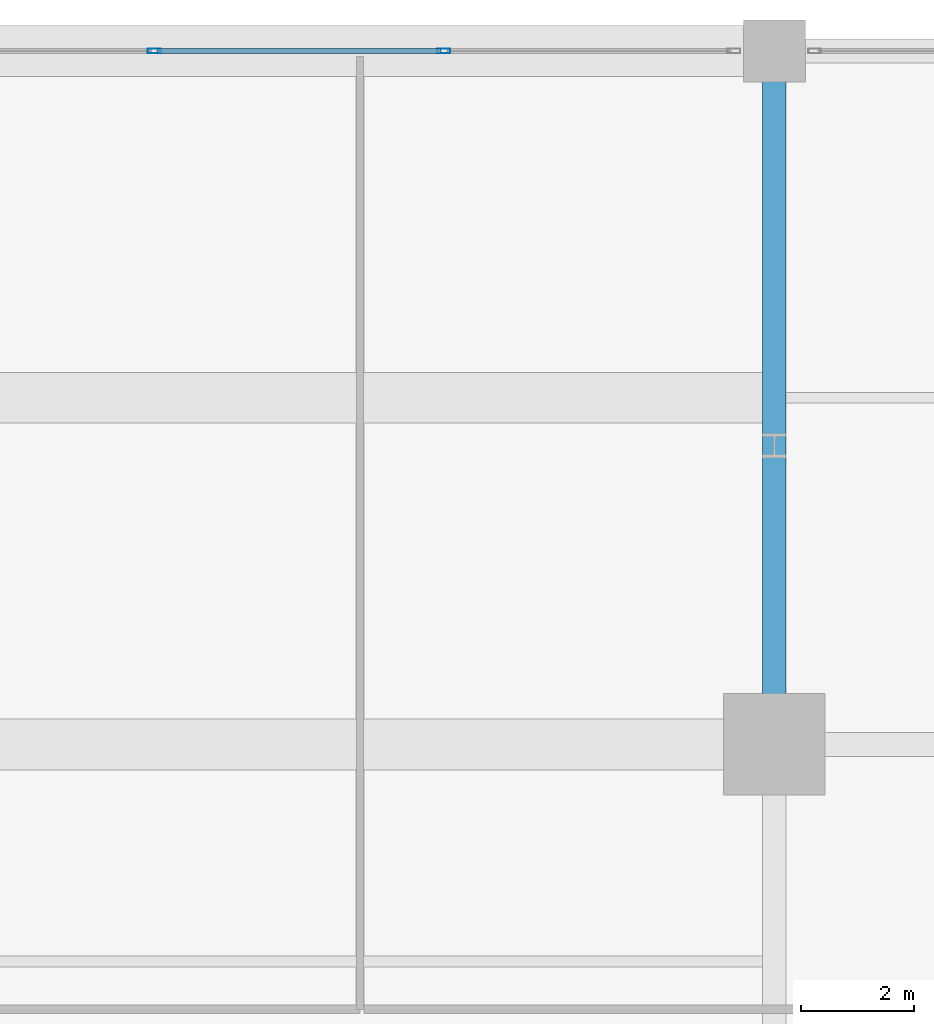
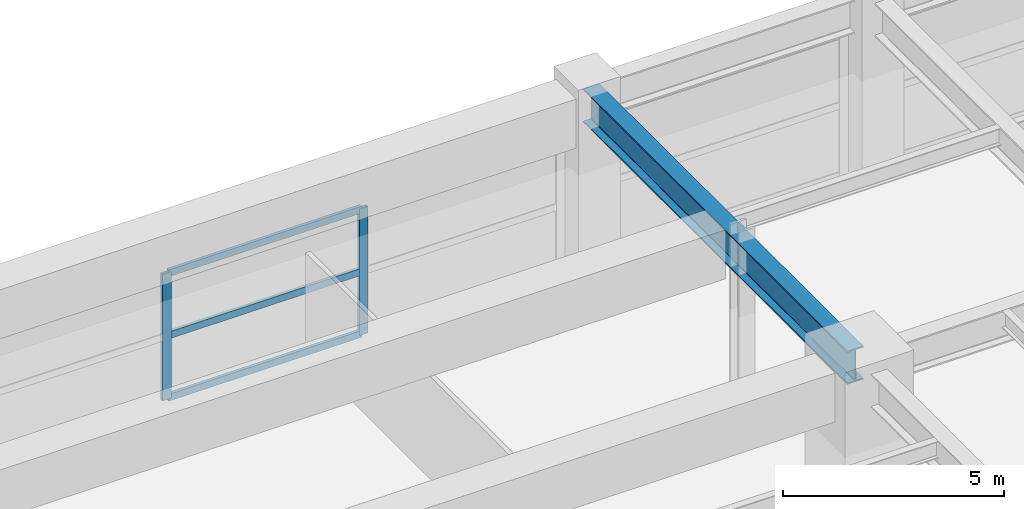
# One storey, part 21 of 45: 5 members, 1 beam, 1 element without a shape of its own.
"""IFC4 building model written with IfcOpenShell, lengths in metres."""

from ifc_helpers import new_model, si_unit, direction, frame, origin, origin_2d, place, context, subcontext, project, spatial, hollow_rectangle, i_section, extrude, material, material_profile, profile_set, type_object, element, aggregate, save


model = new_model("IFC4")

# Units and contexts
model_context = context("Model", 3, precision=1e-05, world=origin(), true_north=direction((0.0, 1.0)))
body_context = subcontext(model_context, "Body", "Model", "MODEL_VIEW")
ifc_project = project(units=[si_unit("LENGTHUNIT", "METRE"), si_unit("AREAUNIT", "SQUARE_METRE"), si_unit("VOLUMEUNIT", "CUBIC_METRE"), si_unit("PLANEANGLEUNIT", "RADIAN"), si_unit("MASSUNIT", "GRAM", prefix="KILO")], contexts=[model_context])

# Site, building, storey
site_placement = place(None, origin())
site = spatial("IfcSite", under=ifc_project, at=site_placement, CompositionType="ELEMENT")
building_placement = place(site_placement, origin())
building = spatial("IfcBuilding", under=site, at=building_placement, Name="Kovane Verandah Tower", CompositionType="ELEMENT")
storey_placement = place(building_placement, frame((0.0, 0.0, 6.0)))
storey = spatial("IfcBuildingStorey", under=building, at=storey_placement, Name="L01", CompositionType="ELEMENT", Elevation=6.0)

# Beam
ifc_material_1 = material(Name="Steel S460", Category="steel")
ifc_material_profile_1 = material_profile(ifc_material_1, i_section(OverallWidth=0.42041015625, OverallDepth=0.9208984375, WebThickness=0.021484375, FlangeThickness=0.03662109375, FilletRadius=0.024169921875, at=origin_2d()), Name="UB914x419x388")
ifc_profile_set_1 = profile_set([ifc_material_profile_1], Name="Steel S460")
beam_type = type_object("IfcBeamType", Name="BM-UB914x388", PredefinedType="BEAM", material=ifc_profile_set_1)
beam_placement = place(storey_placement, frame((51.0, 44.3798828125, 4.439453125), z_axis=(0.0, 1.0, 0.0), x_axis=(-1.0, 0.0, 0.0)))
element("IfcBeam", 1, at=beam_placement, inside=storey, type_object=beam_type, Name="L01 Podium Grid Girder Y34", PredefinedType="BEAM", context=body_context, shape_type="SweptSolid", body=[
    extrude(i_section(OverallWidth=0.42041015625, OverallDepth=0.9208984375, WebThickness=0.021484375, FlangeThickness=0.03662109375, FilletRadius=0.024169921875, at=origin_2d()), origin(), (0.0, 0.0, 1.0), 11.940185546875),
])

# Curtain wall, members
ifc_material_2 = material(Name="Champagne Anodised Aluminium Frame with Low-E Clear Laminated Glass", Category="aluminium")
curtain_wall_type = type_object("IfcCurtainWallType", Name="CW-SYS-01-POD", PredefinedType="NOTDEFINED", material=ifc_material_2)
curtain_wall_placement = place(storey_placement, origin())
curtain_wall = element("IfcCurtainWall", 2, at=curtain_wall_placement, inside=storey, type_object=curtain_wall_type, Name="L01 North Podium Curtain Wall Bay 4", PredefinedType="NOTDEFINED")
ifc_material_3 = material(Name="Champagne Anodised Aluminium 6063-T6", Category="aluminium")
ifc_material_profile_2 = material_profile(ifc_material_3, hollow_rectangle(XDim=0.0849609375, YDim=0.22998046875, WallThickness=0.00390625, at=origin_2d()), Name="AL85x230x4")
ifc_profile_set_2 = profile_set([ifc_material_profile_2], Name="Champagne Anodised Aluminium 6063-T6")
member_type_1 = type_object("IfcMemberType", Name="CW-MUL-85x230", PredefinedType="MULLION", material=ifc_profile_set_2)
member_1_placement = place(storey_placement, frame((45.139892578125, 56.5, 0.02001953125), z_axis=(0.0, 0.0, 1.0), x_axis=(0.0, 1.0, 0.0)))
member_1 = element("IfcMember", 3, at=member_1_placement, type_object=member_type_1, Name="L01 North Podium Curtain Wall Bay 4 Mullion 2", PredefinedType="MULLION", context=body_context, shape_type="SweptSolid", body=[
    extrude(hollow_rectangle(XDim=0.0849609375, YDim=0.22998046875, WallThickness=0.00390625, at=origin_2d()), origin(), (0.0, 0.0, 1.0), 3.489990234375),
])
member_2_placement = place(storey_placement, frame((40.0, 56.5, 0.02001953125), z_axis=(0.0, 0.0, 1.0), x_axis=(0.0, 1.0, 0.0)))
member_2 = element("IfcMember", 4, at=member_2_placement, type_object=member_type_1, Name="L01 North Podium Curtain Wall Bay 4 Mullion 3", PredefinedType="MULLION", context=body_context, shape_type="SweptSolid", body=[
    extrude(hollow_rectangle(XDim=0.0849609375, YDim=0.22998046875, WallThickness=0.00390625, at=origin_2d()), origin(), (0.0, 0.0, 1.0), 3.489990234375),
])
ifc_material_profile_3 = material_profile(ifc_material_3, hollow_rectangle(XDim=0.0849609375, YDim=0.18994140625, WallThickness=0.00390625, at=origin_2d()), Name="AL85x190x4")
ifc_profile_set_3 = profile_set([ifc_material_profile_3], Name="Champagne Anodised Aluminium 6063-T6")
member_type_2 = type_object("IfcMemberType", Name="CW-TRN-85x190", PredefinedType="USERDEFINED", material=ifc_profile_set_3)
member_3_placement = place(storey_placement, frame((45.090087890625, 56.5, 0.050048828125), z_axis=(-1.0, 0.0, 0.0), x_axis=(0.0, -1.0, 0.0)))
member_3 = element("IfcMember", 5, at=member_3_placement, type_object=member_type_2, Name="L01 North Podium Curtain Wall Bay 4 Transom TB Bay 2", ObjectType="TRANSOM", PredefinedType="USERDEFINED", context=body_context, shape_type="SweptSolid", body=[
    extrude(hollow_rectangle(XDim=0.0849609375, YDim=0.18994140625, WallThickness=0.00390625, at=origin_2d()), origin(), (0.0, 0.0, 1.0), 5.0400390625),
])
member_4_placement = place(storey_placement, frame((45.090087890625, 56.5, 1.764892578125), z_axis=(-1.0, 0.0, 0.0), x_axis=(0.0, -1.0, 0.0)))
member_4 = element("IfcMember", 6, at=member_4_placement, type_object=member_type_2, Name="L01 North Podium Curtain Wall Bay 4 Transom TM Bay 2", ObjectType="TRANSOM", PredefinedType="USERDEFINED", context=body_context, shape_type="SweptSolid", body=[
    extrude(hollow_rectangle(XDim=0.0849609375, YDim=0.18994140625, WallThickness=0.00390625, at=origin_2d()), origin(), (0.0, 0.0, 1.0), 5.0400390625),
])
member_5_placement = place(storey_placement, frame((45.090087890625, 56.5, 3.47998046875), z_axis=(-1.0, 0.0, 0.0), x_axis=(0.0, -1.0, 0.0)))
member_5 = element("IfcMember", 7, at=member_5_placement, type_object=member_type_2, Name="L01 North Podium Curtain Wall Bay 4 Transom TT Bay 2", ObjectType="TRANSOM", PredefinedType="USERDEFINED", context=body_context, shape_type="SweptSolid", body=[
    extrude(hollow_rectangle(XDim=0.0849609375, YDim=0.18994140625, WallThickness=0.00390625, at=origin_2d()), origin(), (0.0, 0.0, 1.0), 5.0400390625),
])
aggregate(curtain_wall, [member_1, member_2, member_3, member_4, member_5])

save(model, "model.ifc")
